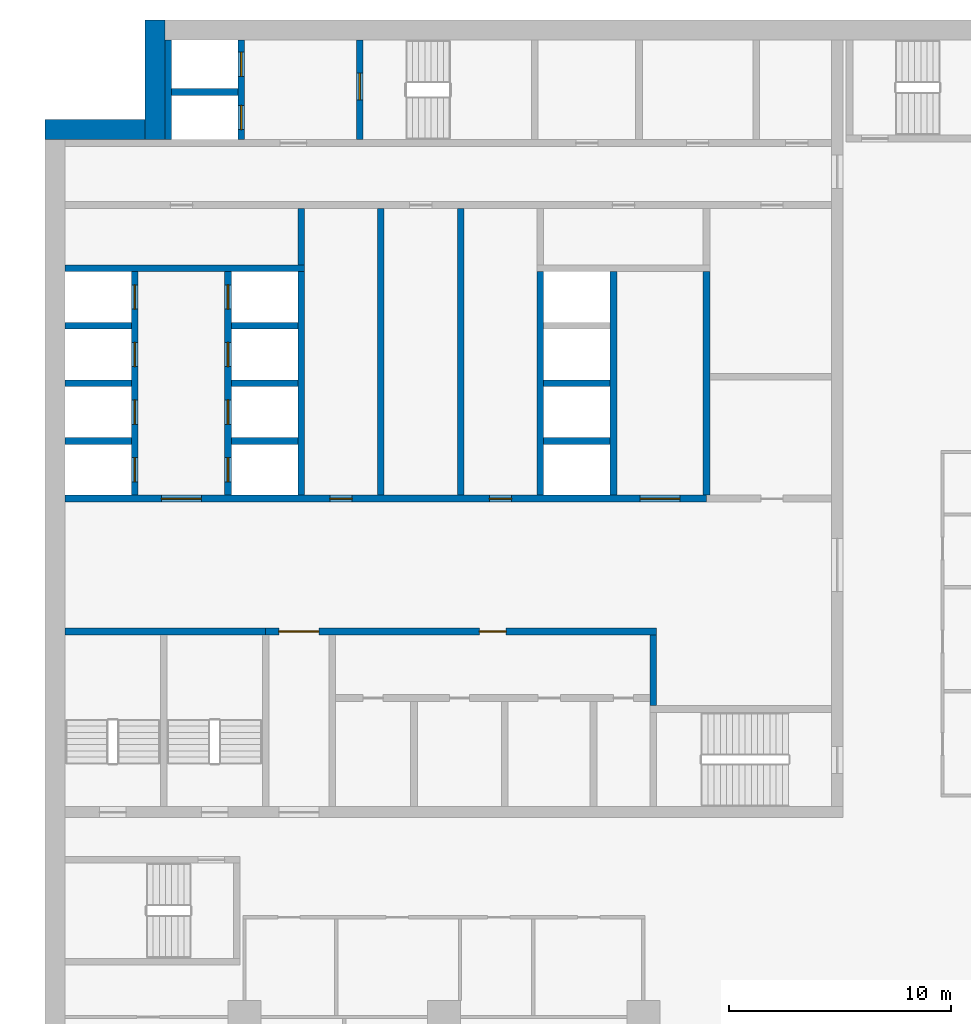
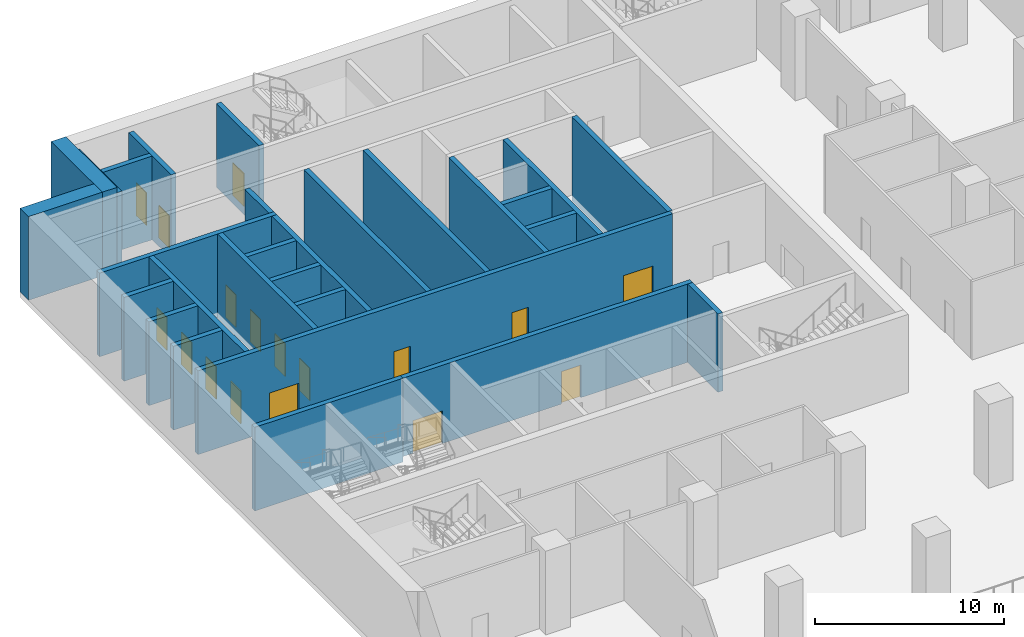
# One storey, part 18 of 43: 28 walls, 17 doors, 17 openings.
"""IFC4 building model written with IfcOpenShell, lengths in metres."""

from ifc_helpers import new_model, si_unit, direction, frame, frame_2d, origin, place, context, subcontext, project, spatial, rectangle, extrude, material, layer, layer_set, type_object, element, fill, save


model = new_model("IFC4")

# Units and contexts
model_context = context("Model", 3, precision=1e-05, world=origin(), true_north=direction((0.0, 1.0)))
body_context = subcontext(model_context, "Body", "Model", "MODEL_VIEW")
ifc_project = project(units=[si_unit("LENGTHUNIT", "METRE"), si_unit("AREAUNIT", "SQUARE_METRE"), si_unit("VOLUMEUNIT", "CUBIC_METRE"), si_unit("PLANEANGLEUNIT", "RADIAN"), si_unit("MASSUNIT", "GRAM", prefix="KILO")], contexts=[model_context])

# Site, building, storey
site_placement = place(None, origin())
site = spatial("IfcSite", under=ifc_project, at=site_placement, CompositionType="ELEMENT")
building_placement = place(site_placement, origin())
building = spatial("IfcBuilding", under=site, at=building_placement, Name="Hunhe Ridgeline Campus", CompositionType="ELEMENT")
storey_placement = place(building_placement, frame((0.0, 0.0, 11.39990234375)))
storey = spatial("IfcBuildingStorey", under=building, at=storey_placement, Name="L02", CompositionType="ELEMENT", Elevation=11.39990234375)

# Wall, openings, doors
ifc_material_1 = material(Name="Masonry concrete blockwork", Category="masonry")
ifc_layer_1 = layer(ifc_material_1, 0.300048828125)
ifc_layer_set_1 = layer_set([ifc_layer_1], Name="Core room partition 300 concrete block")
wall_type_1 = type_object("IfcWallType", Name="Core room partition 300 concrete block", PredefinedType="PARTITIONING", material=ifc_layer_set_1)
wall_1_placement = place(storey_placement, frame((9.949951171875, 71.39990234375, 0.0), z_axis=(0.0, 0.0, 1.0), x_axis=(1.0, 0.0, 0.0)))
wall_1 = element("IfcWall", 1, at=wall_1_placement, inside=storey, type_object=wall_type_1, Name="L02 core partition 13", PredefinedType="PARTITIONING", context=body_context, shape_type="SweptSolid", body=[
    extrude(rectangle(XDim=17.650146484375, YDim=0.300048828125, at=frame_2d((8.8251953125, 0.0))), origin(), (0.0, 0.0, 1.0), 5.050048828125),
])
opening_1_placement = place(wall_1_placement, frame((0.60009765625, 0.0, 0.0)))
opening_1 = element("IfcOpeningElement", 2, at=opening_1_placement, cuts=wall_1, Name="Opening CD7", PredefinedType="OPENING", context=body_context, shape_type="SweptSolid", body=[
    extrude(rectangle(XDim=1.800048828125, YDim=2.10009765625, at=frame_2d((0.89990234375, 1.050048828125))), frame((0.0, 0.14990234375, 0.0), z_axis=(0.0, -1.0, 0.0), x_axis=(1.0, 0.0, 0.0)), (0.0, 0.0, 1.0), 0.300048828125),
])
opening_2_placement = place(wall_1_placement, frame((9.64990234375, 0.0, 0.0)))
opening_2 = element("IfcOpeningElement", 3, at=opening_2_placement, cuts=wall_1, Name="Opening CD12", PredefinedType="OPENING", context=body_context, shape_type="SweptSolid", body=[
    extrude(rectangle(XDim=1.199951171875, YDim=2.10009765625, at=frame_2d((0.60009765625, 1.050048828125))), frame((0.0, 0.14990234375, 0.0), z_axis=(0.0, -1.0, 0.0), x_axis=(1.0, 0.0, 0.0)), (0.0, 0.0, 1.0), 0.300048828125),
])
ifc_material_2 = material(Name="Anodised aluminium and glass", Category="aluminium")
door_type_1 = type_object("IfcDoorType", Name="Glazed double door 1800x2100", OperationType="DOUBLE_DOOR_SINGLE_SWING", PredefinedType="DOOR", material=ifc_material_2)
door_1_placement = place(opening_1_placement, origin())
door_1 = element("IfcDoor", 4, at=door_1_placement, inside=storey, type_object=door_type_1, Name="L02 door VEST-HALL", OperationType="DOUBLE_DOOR_SINGLE_SWING", OverallHeight=2.10009765625, OverallWidth=1.800048828125, PredefinedType="DOOR", context=body_context, shape_type="SweptSolid", body=[
    extrude(rectangle(XDim=1.800048828125, YDim=2.10009765625, at=frame_2d((0.89990234375, 1.050048828125))), frame((0.0, 0.02490234375, 0.0), z_axis=(0.0, -1.0, 0.0), x_axis=(1.0, 0.0, 0.0)), (0.0, 0.0, 1.0), 0.050048828125),
])
fill(opening_1, door_1)
ifc_material_3 = material(Name="Solid core timber door leaf", Category="wood")
door_type_2 = type_object("IfcDoorType", Name="Timber door 1200x2100", OperationType="SINGLE_SWING_LEFT", PredefinedType="DOOR", material=ifc_material_3)
door_2_placement = place(opening_2_placement, origin())
door_2 = element("IfcDoor", 5, at=door_2_placement, inside=storey, type_object=door_type_2, Name="L02 door WCL2-HALL", OperationType="SINGLE_SWING_LEFT", OverallHeight=2.10009765625, OverallWidth=1.199951171875, PredefinedType="DOOR", context=body_context, shape_type="SweptSolid", body=[
    extrude(rectangle(XDim=1.199951171875, YDim=2.10009765625, at=frame_2d((0.60009765625, 1.050048828125))), frame((0.0, 0.02490234375, 0.0), z_axis=(0.0, -1.0, 0.0), x_axis=(1.0, 0.0, 0.0)), (0.0, 0.0, 1.0), 0.050048828125),
])
fill(opening_2, door_2)

# Walls
wall_2_placement = place(storey_placement, frame((11.550048828125, 87.949951171875, 0.0), z_axis=(0.0, 0.0, 1.0), x_axis=(0.0, 1.0, 0.0)))
element("IfcWall", 6, at=wall_2_placement, inside=storey, type_object=wall_type_1, Name="L02 core partition 44", PredefinedType="PARTITIONING", context=body_context, shape_type="SweptSolid", body=[
    extrude(rectangle(XDim=2.550048828125, YDim=0.300048828125, at=frame_2d((1.27490234375, 0.0))), origin(), (0.0, 0.0, 1.0), 5.050048828125),
])
for number, where, z_axis, x_axis, name in (
    (7, (15.14990234375, 77.550048828125, 0.0), (0.0, 0.0, 1.0), (0.0, 1.0, 0.0), "L02 core partition 47"),
    (8, (18.75, 77.550048828125, 0.0), (0.0, 0.0, 1.0), (0.0, 1.0, 0.0), "L02 core partition 49"),
):
    element("IfcWall", number, at=place(storey_placement, frame(where, z_axis=z_axis, x_axis=x_axis)), inside=storey, type_object=wall_type_1, Name=name, PredefinedType="PARTITIONING", context=body_context, shape_type="SweptSolid", body=[
        extrude(rectangle(XDim=12.949951171875, YDim=0.300048828125, at=frame_2d((6.47509765625, 0.0))), origin(), (0.0, 0.0, 1.0), 5.050048828125),
    ])
wall_3_placement = place(storey_placement, frame((27.449951171875, 68.050048828125, 0.0), z_axis=(0.0, 0.0, 1.0), x_axis=(0.0, 1.0, 0.0)))
element("IfcWall", 9, at=wall_3_placement, inside=storey, type_object=wall_type_1, Name="L02 core partition 60", PredefinedType="PARTITIONING", context=body_context, shape_type="SweptSolid", body=[
    extrude(rectangle(XDim=3.199951171875, YDim=0.300048828125, at=frame_2d((1.60009765625, 0.0))), origin(), (0.0, 0.0, 1.0), 5.050048828125),
])
ifc_material_4 = material(Name="Concrete C80", Category="concrete")
ifc_layer_2 = layer(ifc_material_4, 0.300048828125)
ifc_layer_set_2 = layer_set([ifc_layer_2], Name="Lobby wall 300 reinforced concrete C80")
wall_type_2 = type_object("IfcWallType", Name="Lobby wall 300 reinforced concrete C80", PredefinedType="SOLIDWALL", material=ifc_layer_set_2)
wall_4_placement = place(storey_placement, frame((29.85009765625, 77.550048828125, -0.349853515625), z_axis=(0.0, 0.0, 1.0), x_axis=(0.0, 1.0, 0.0)))
element("IfcWall", 10, at=wall_4_placement, inside=storey, type_object=wall_type_2, Name="L02 core wall 61", PredefinedType="SOLIDWALL", context=body_context, shape_type="SweptSolid", body=[
    extrude(rectangle(XDim=10.099853515625, YDim=0.300048828125, at=frame_2d((5.0498046875, 0.0))), origin(), (0.0, 0.0, 1.0), 5.39990234375),
])

# Wall, openings, doors
ifc_layer_3 = layer(ifc_material_4, 0.300048828125)
ifc_layer_set_3 = layer_set([ifc_layer_3], Name="Shaft wall 300 reinforced concrete C80")
wall_type_3 = type_object("IfcWallType", Name="Shaft wall 300 reinforced concrete C80", PredefinedType="SOLIDWALL", material=ifc_layer_set_3)
wall_5_placement = place(storey_placement, frame((0.89990234375, 77.39990234375, -0.349853515625), z_axis=(0.0, 0.0, 1.0), x_axis=(1.0, 0.0, 0.0)))
wall_5 = element("IfcWall", 11, at=wall_5_placement, inside=storey, type_object=wall_type_3, Name="L02 core wall 14", PredefinedType="SOLIDWALL", context=body_context, shape_type="SweptSolid", body=[
    extrude(rectangle(XDim=28.9501953125, YDim=0.300048828125, at=frame_2d((14.47509765625, 0.0))), origin(), (0.0, 0.0, 1.0), 5.39990234375),
])
opening_3_placement = place(wall_5_placement, frame((4.35009765625, 0.0, 0.35009765625)))
opening_3 = element("IfcOpeningElement", 12, at=opening_3_placement, cuts=wall_5, Name="Opening CD1", PredefinedType="OPENING", context=body_context, shape_type="SweptSolid", body=[
    extrude(rectangle(XDim=1.800048828125, YDim=2.10009765625, at=frame_2d((0.89990234375, 1.050048828125))), frame((0.0, 0.14990234375, 0.0), z_axis=(0.0, -1.0, 0.0), x_axis=(1.0, 0.0, 0.0)), (0.0, 0.0, 1.0), 0.300048828125),
])
opening_4_placement = place(wall_5_placement, frame((25.949951171875, 0.0, 0.35009765625)))
opening_4 = element("IfcOpeningElement", 13, at=opening_4_placement, cuts=wall_5, Name="Opening CD2", PredefinedType="OPENING", context=body_context, shape_type="SweptSolid", body=[
    extrude(rectangle(XDim=1.800048828125, YDim=2.10009765625, at=frame_2d((0.89990234375, 1.050048828125))), frame((0.0, 0.14990234375, 0.0), z_axis=(0.0, -1.0, 0.0), x_axis=(1.0, 0.0, 0.0)), (0.0, 0.0, 1.0), 0.300048828125),
])
opening_5_placement = place(wall_5_placement, frame((11.949951171875, 0.0, 0.35009765625)))
opening_5 = element("IfcOpeningElement", 14, at=opening_5_placement, cuts=wall_5, Name="Opening CD28", PredefinedType="OPENING", context=body_context, shape_type="SweptSolid", body=[
    extrude(rectangle(XDim=1.0, YDim=2.10009765625, at=frame_2d((0.5, 1.050048828125))), frame((0.0, 0.14990234375, 0.0), z_axis=(0.0, -1.0, 0.0), x_axis=(1.0, 0.0, 0.0)), (0.0, 0.0, 1.0), 0.300048828125),
])
opening_6_placement = place(wall_5_placement, frame((19.14990234375, 0.0, 0.35009765625)))
opening_6 = element("IfcOpeningElement", 15, at=opening_6_placement, cuts=wall_5, Name="Opening CD30", PredefinedType="OPENING", context=body_context, shape_type="SweptSolid", body=[
    extrude(rectangle(XDim=1.0, YDim=2.10009765625, at=frame_2d((0.5, 1.050048828125))), frame((0.0, 0.14990234375, 0.0), z_axis=(0.0, -1.0, 0.0), x_axis=(1.0, 0.0, 0.0)), (0.0, 0.0, 1.0), 0.300048828125),
])
ifc_material_5 = material(Name="Hollow metal fire door leaf")
door_type_3 = type_object("IfcDoorType", Name="Lobby door 1800x2100 FD60", OperationType="SINGLE_SWING_LEFT", PredefinedType="DOOR", material=ifc_material_5)
door_3_placement = place(opening_3_placement, frame((1.800048828125, 0.0, 0.0), z_axis=(0.0, 0.0, 1.0), x_axis=(-1.0, 0.0, 0.0)))
door_3 = element("IfcDoor", 16, at=door_3_placement, inside=storey, type_object=door_type_3, Name="L02 door LOB-LR", OperationType="SINGLE_SWING_RIGHT", OverallHeight=2.10009765625, OverallWidth=1.800048828125, PredefinedType="DOOR", context=body_context, shape_type="SweptSolid", body=[
    extrude(rectangle(XDim=1.800048828125, YDim=2.10009765625, at=frame_2d((0.89990234375, 1.050048828125))), frame((0.0, 0.02490234375, 0.0), z_axis=(0.0, -1.0, 0.0), x_axis=(1.0, 0.0, 0.0)), (0.0, 0.0, 1.0), 0.050048828125),
])
fill(opening_3, door_3)
door_4_placement = place(opening_4_placement, frame((1.800048828125, 0.0, 0.0), z_axis=(0.0, 0.0, 1.0), x_axis=(-1.0, 0.0, 0.0)))
door_4 = element("IfcDoor", 17, at=door_4_placement, inside=storey, type_object=door_type_3, Name="L02 door LOB-SH", OperationType="SINGLE_SWING_LEFT", OverallHeight=2.10009765625, OverallWidth=1.800048828125, PredefinedType="DOOR", context=body_context, shape_type="SweptSolid", body=[
    extrude(rectangle(XDim=1.800048828125, YDim=2.10009765625, at=frame_2d((0.89990234375, 1.050048828125))), frame((0.0, 0.02490234375, 0.0), z_axis=(0.0, -1.0, 0.0), x_axis=(1.0, 0.0, 0.0)), (0.0, 0.0, 1.0), 0.050048828125),
])
fill(opening_4, door_4)
door_type_4 = type_object("IfcDoorType", Name="Timber door 1000x2100", OperationType="SINGLE_SWING_LEFT", PredefinedType="DOOR", material=ifc_material_3)
door_5_placement = place(opening_5_placement, origin())
door_5 = element("IfcDoor", 18, at=door_5_placement, inside=storey, type_object=door_type_4, Name="L02 door VD-HR0", OperationType="SINGLE_SWING_LEFT", OverallHeight=2.10009765625, OverallWidth=1.0, PredefinedType="DOOR", context=body_context, shape_type="SweptSolid", body=[
    extrude(rectangle(XDim=1.0, YDim=2.10009765625, at=frame_2d((0.5, 1.050048828125))), frame((0.0, 0.02490234375, 0.0), z_axis=(0.0, -1.0, 0.0), x_axis=(1.0, 0.0, 0.0)), (0.0, 0.0, 1.0), 0.050048828125),
])
fill(opening_5, door_5)
door_6_placement = place(opening_6_placement, origin())
door_6 = element("IfcDoor", 19, at=door_6_placement, inside=storey, type_object=door_type_4, Name="L02 door VD-HR2", OperationType="SINGLE_SWING_LEFT", OverallHeight=2.10009765625, OverallWidth=1.0, PredefinedType="DOOR", context=body_context, shape_type="SweptSolid", body=[
    extrude(rectangle(XDim=1.0, YDim=2.10009765625, at=frame_2d((0.5, 1.050048828125))), frame((0.0, 0.02490234375, 0.0), z_axis=(0.0, -1.0, 0.0), x_axis=(1.0, 0.0, 0.0)), (0.0, 0.0, 1.0), 0.050048828125),
])
fill(opening_6, door_6)

# Walls
for number, where, z_axis, x_axis, name in (
    (20, (0.89990234375, 80.0, -0.349853515625), (0.0, 0.0, 1.0), (1.0, 0.0, 0.0), "L02 core wall 16"),
    (21, (8.39990234375, 80.0, -0.349853515625), (0.0, 0.0, 1.0), (1.0, 0.0, 0.0), "L02 core wall 17"),
    (22, (22.5, 80.0, -0.349853515625), (0.0, 0.0, 1.0), (1.0, 0.0, 0.0), "L02 core wall 18"),
    (23, (0.89990234375, 82.60009765625, -0.349853515625), (0.0, 0.0, 1.0), (1.0, 0.0, 0.0), "L02 core wall 19"),
    (24, (8.39990234375, 82.60009765625, -0.349853515625), (0.0, 0.0, 1.0), (1.0, 0.0, 0.0), "L02 core wall 20"),
    (25, (22.5, 82.60009765625, -0.349853515625), (0.0, 0.0, 1.0), (1.0, 0.0, 0.0), "L02 core wall 21"),
    (26, (0.89990234375, 85.199951171875, -0.349853515625), (0.0, 0.0, 1.0), (1.0, 0.0, 0.0), "L02 core wall 23"),
    (27, (8.39990234375, 85.199951171875, -0.349853515625), (0.0, 0.0, 1.0), (1.0, 0.0, 0.0), "L02 core wall 24"),
):
    element("IfcWall", number, at=place(storey_placement, frame(where, z_axis=z_axis, x_axis=x_axis)), inside=storey, type_object=wall_type_3, Name=name, PredefinedType="SOLIDWALL", context=body_context, shape_type="SweptSolid", body=[
        extrude(rectangle(XDim=3.0, YDim=0.300048828125, at=frame_2d((1.5, 0.0))), origin(), (0.0, 0.0, 1.0), 5.39990234375),
    ])
wall_6_placement = place(storey_placement, frame((0.89990234375, 87.800048828125, -0.349853515625), z_axis=(0.0, 0.0, 1.0), x_axis=(1.0, 0.0, 0.0)))
element("IfcWall", 28, at=wall_6_placement, inside=storey, type_object=wall_type_3, Name="L02 core wall 26", PredefinedType="SOLIDWALL", context=body_context, shape_type="SweptSolid", body=[
    extrude(rectangle(XDim=10.800048828125, YDim=0.300048828125, at=frame_2d((5.39990234375, 0.0))), origin(), (0.0, 0.0, 1.0), 5.39990234375),
])
wall_7_placement = place(storey_placement, frame((5.699951171875, 95.75, -0.349853515625), z_axis=(0.0, 0.0, 1.0), x_axis=(1.0, 0.0, 0.0)))
element("IfcWall", 29, at=wall_7_placement, inside=storey, type_object=wall_type_3, Name="L02 core wall 34", PredefinedType="SOLIDWALL", context=body_context, shape_type="SweptSolid", body=[
    extrude(rectangle(XDim=3.0, YDim=0.300048828125, at=frame_2d((1.5, 0.0))), origin(), (0.0, 0.0, 1.0), 5.39990234375),
])

# Wall, openings, doors
wall_8_placement = place(storey_placement, frame((4.050048828125, 77.550048828125, -0.349853515625), z_axis=(0.0, 0.0, 1.0), x_axis=(0.0, 1.0, 0.0)))
wall_8 = element("IfcWall", 30, at=wall_8_placement, inside=storey, type_object=wall_type_3, Name="L02 core wall 35", PredefinedType="SOLIDWALL", context=body_context, shape_type="SweptSolid", body=[
    extrude(rectangle(XDim=10.099853515625, YDim=0.300048828125, at=frame_2d((5.0498046875, 0.0))), origin(), (0.0, 0.0, 1.0), 5.39990234375),
])
opening_7_placement = place(wall_8_placement, frame((0.60009765625, 0.0, 0.35009765625)))
opening_7 = element("IfcOpeningElement", 31, at=opening_7_placement, cuts=wall_8, Name="Opening LD-LR1", PredefinedType="OPENING", context=body_context, shape_type="SweptSolid", body=[
    extrude(rectangle(XDim=1.10009765625, YDim=2.10009765625, at=frame_2d((0.550048828125, 1.050048828125))), frame((0.0, 0.14990234375, 0.0), z_axis=(0.0, -1.0, 0.0), x_axis=(1.0, 0.0, 0.0)), (0.0, 0.0, 1.0), 0.300048828125),
])
opening_8_placement = place(wall_8_placement, frame((3.199951171875, 0.0, 0.35009765625)))
opening_8 = element("IfcOpeningElement", 32, at=opening_8_placement, cuts=wall_8, Name="Opening LD-LR2", PredefinedType="OPENING", context=body_context, shape_type="SweptSolid", body=[
    extrude(rectangle(XDim=1.10009765625, YDim=2.10009765625, at=frame_2d((0.550048828125, 1.050048828125))), frame((0.0, 0.14990234375, 0.0), z_axis=(0.0, -1.0, 0.0), x_axis=(1.0, 0.0, 0.0)), (0.0, 0.0, 1.0), 0.300048828125),
])
opening_9_placement = place(wall_8_placement, frame((5.800048828125, 0.0, 0.35009765625)))
opening_9 = element("IfcOpeningElement", 33, at=opening_9_placement, cuts=wall_8, Name="Opening LD-LR3", PredefinedType="OPENING", context=body_context, shape_type="SweptSolid", body=[
    extrude(rectangle(XDim=1.10009765625, YDim=2.10009765625, at=frame_2d((0.550048828125, 1.050048828125))), frame((0.0, 0.14990234375, 0.0), z_axis=(0.0, -1.0, 0.0), x_axis=(1.0, 0.0, 0.0)), (0.0, 0.0, 1.0), 0.300048828125),
])
opening_10_placement = place(wall_8_placement, frame((8.39990234375, 0.0, 0.35009765625)))
opening_10 = element("IfcOpeningElement", 34, at=opening_10_placement, cuts=wall_8, Name="Opening LD-LR4", PredefinedType="OPENING", context=body_context, shape_type="SweptSolid", body=[
    extrude(rectangle(XDim=1.10009765625, YDim=2.10009765625, at=frame_2d((0.550048828125, 1.050048828125))), frame((0.0, 0.14990234375, 0.0), z_axis=(0.0, -1.0, 0.0), x_axis=(1.0, 0.0, 0.0)), (0.0, 0.0, 1.0), 0.300048828125),
])
ifc_material_6 = material(Name="Stainless steel sliding leaves", Category="steel")
door_type_5 = type_object("IfcDoorType", Name="Landing door 1100x2100 FD120", OperationType="SLIDING_TO_LEFT", PredefinedType="DOOR", material=ifc_material_6)
door_7_placement = place(opening_7_placement, origin())
door_7 = element("IfcDoor", 35, at=door_7_placement, inside=storey, type_object=door_type_5, Name="L02 landing door LR1", OperationType="SLIDING_TO_RIGHT", OverallHeight=2.10009765625, OverallWidth=1.10009765625, PredefinedType="DOOR", context=body_context, shape_type="SweptSolid", body=[
    extrude(rectangle(XDim=1.10009765625, YDim=2.10009765625, at=frame_2d((0.550048828125, 1.050048828125))), frame((0.0, 0.02490234375, 0.0), z_axis=(0.0, -1.0, 0.0), x_axis=(1.0, 0.0, 0.0)), (0.0, 0.0, 1.0), 0.050048828125),
])
fill(opening_7, door_7)
door_8_placement = place(opening_8_placement, origin())
door_8 = element("IfcDoor", 36, at=door_8_placement, inside=storey, type_object=door_type_5, Name="L02 landing door LR2", OperationType="SLIDING_TO_LEFT", OverallHeight=2.10009765625, OverallWidth=1.10009765625, PredefinedType="DOOR", context=body_context, shape_type="SweptSolid", body=[
    extrude(rectangle(XDim=1.10009765625, YDim=2.10009765625, at=frame_2d((0.550048828125, 1.050048828125))), frame((0.0, 0.02490234375, 0.0), z_axis=(0.0, -1.0, 0.0), x_axis=(1.0, 0.0, 0.0)), (0.0, 0.0, 1.0), 0.050048828125),
])
fill(opening_8, door_8)
door_9_placement = place(opening_9_placement, origin())
door_9 = element("IfcDoor", 37, at=door_9_placement, inside=storey, type_object=door_type_5, Name="L02 landing door LR3", OperationType="SLIDING_TO_RIGHT", OverallHeight=2.10009765625, OverallWidth=1.10009765625, PredefinedType="DOOR", context=body_context, shape_type="SweptSolid", body=[
    extrude(rectangle(XDim=1.10009765625, YDim=2.10009765625, at=frame_2d((0.550048828125, 1.050048828125))), frame((0.0, 0.02490234375, 0.0), z_axis=(0.0, -1.0, 0.0), x_axis=(1.0, 0.0, 0.0)), (0.0, 0.0, 1.0), 0.050048828125),
])
fill(opening_9, door_9)
door_10_placement = place(opening_10_placement, origin())
door_10 = element("IfcDoor", 38, at=door_10_placement, inside=storey, type_object=door_type_5, Name="L02 landing door LR4", OperationType="SLIDING_TO_LEFT", OverallHeight=2.10009765625, OverallWidth=1.10009765625, PredefinedType="DOOR", context=body_context, shape_type="SweptSolid", body=[
    extrude(rectangle(XDim=1.10009765625, YDim=2.10009765625, at=frame_2d((0.550048828125, 1.050048828125))), frame((0.0, 0.02490234375, 0.0), z_axis=(0.0, -1.0, 0.0), x_axis=(1.0, 0.0, 0.0)), (0.0, 0.0, 1.0), 0.050048828125),
])
fill(opening_10, door_10)

# Wall
wall_9_placement = place(storey_placement, frame((5.550048828125, 93.60009765625, -0.349853515625), z_axis=(0.0, 0.0, 1.0), x_axis=(0.0, 1.0, 0.0)))
element("IfcWall", 39, at=wall_9_placement, inside=storey, type_object=wall_type_3, Name="L02 core wall 37", PredefinedType="SOLIDWALL", context=body_context, shape_type="SweptSolid", body=[
    extrude(rectangle(XDim=4.5, YDim=0.300048828125, at=frame_2d((2.25, 0.0))), origin(), (0.0, 0.0, 1.0), 5.39990234375),
])

# Wall, openings, doors
wall_10_placement = place(storey_placement, frame((8.25, 77.550048828125, -0.349853515625), z_axis=(0.0, 0.0, 1.0), x_axis=(0.0, 1.0, 0.0)))
wall_10 = element("IfcWall", 40, at=wall_10_placement, inside=storey, type_object=wall_type_3, Name="L02 core wall 38", PredefinedType="SOLIDWALL", context=body_context, shape_type="SweptSolid", body=[
    extrude(rectangle(XDim=10.099853515625, YDim=0.300048828125, at=frame_2d((5.0498046875, 0.0))), origin(), (0.0, 0.0, 1.0), 5.39990234375),
])
opening_11_placement = place(wall_10_placement, frame((0.60009765625, 0.0, 0.35009765625)))
opening_11 = element("IfcOpeningElement", 41, at=opening_11_placement, cuts=wall_10, Name="Opening LD-LR5", PredefinedType="OPENING", context=body_context, shape_type="SweptSolid", body=[
    extrude(rectangle(XDim=1.10009765625, YDim=2.10009765625, at=frame_2d((0.550048828125, 1.050048828125))), frame((0.0, 0.14990234375, 0.0), z_axis=(0.0, -1.0, 0.0), x_axis=(1.0, 0.0, 0.0)), (0.0, 0.0, 1.0), 0.300048828125),
])
opening_12_placement = place(wall_10_placement, frame((3.199951171875, 0.0, 0.35009765625)))
opening_12 = element("IfcOpeningElement", 42, at=opening_12_placement, cuts=wall_10, Name="Opening LD-LR6", PredefinedType="OPENING", context=body_context, shape_type="SweptSolid", body=[
    extrude(rectangle(XDim=1.10009765625, YDim=2.10009765625, at=frame_2d((0.550048828125, 1.050048828125))), frame((0.0, 0.14990234375, 0.0), z_axis=(0.0, -1.0, 0.0), x_axis=(1.0, 0.0, 0.0)), (0.0, 0.0, 1.0), 0.300048828125),
])
opening_13_placement = place(wall_10_placement, frame((5.800048828125, 0.0, 0.35009765625)))
opening_13 = element("IfcOpeningElement", 43, at=opening_13_placement, cuts=wall_10, Name="Opening LD-LR7", PredefinedType="OPENING", context=body_context, shape_type="SweptSolid", body=[
    extrude(rectangle(XDim=1.10009765625, YDim=2.10009765625, at=frame_2d((0.550048828125, 1.050048828125))), frame((0.0, 0.14990234375, 0.0), z_axis=(0.0, -1.0, 0.0), x_axis=(1.0, 0.0, 0.0)), (0.0, 0.0, 1.0), 0.300048828125),
])
opening_14_placement = place(wall_10_placement, frame((8.39990234375, 0.0, 0.35009765625)))
opening_14 = element("IfcOpeningElement", 44, at=opening_14_placement, cuts=wall_10, Name="Opening LD-LR8", PredefinedType="OPENING", context=body_context, shape_type="SweptSolid", body=[
    extrude(rectangle(XDim=1.10009765625, YDim=2.10009765625, at=frame_2d((0.550048828125, 1.050048828125))), frame((0.0, 0.14990234375, 0.0), z_axis=(0.0, -1.0, 0.0), x_axis=(1.0, 0.0, 0.0)), (0.0, 0.0, 1.0), 0.300048828125),
])
door_11_placement = place(opening_11_placement, origin())
door_11 = element("IfcDoor", 45, at=door_11_placement, inside=storey, type_object=door_type_5, Name="L02 landing door LR5", OperationType="SLIDING_TO_RIGHT", OverallHeight=2.10009765625, OverallWidth=1.10009765625, PredefinedType="DOOR", context=body_context, shape_type="SweptSolid", body=[
    extrude(rectangle(XDim=1.10009765625, YDim=2.10009765625, at=frame_2d((0.550048828125, 1.050048828125))), frame((0.0, 0.02490234375, 0.0), z_axis=(0.0, -1.0, 0.0), x_axis=(1.0, 0.0, 0.0)), (0.0, 0.0, 1.0), 0.050048828125),
])
fill(opening_11, door_11)
door_12_placement = place(opening_12_placement, origin())
door_12 = element("IfcDoor", 46, at=door_12_placement, inside=storey, type_object=door_type_5, Name="L02 landing door LR6", OperationType="SLIDING_TO_LEFT", OverallHeight=2.10009765625, OverallWidth=1.10009765625, PredefinedType="DOOR", context=body_context, shape_type="SweptSolid", body=[
    extrude(rectangle(XDim=1.10009765625, YDim=2.10009765625, at=frame_2d((0.550048828125, 1.050048828125))), frame((0.0, 0.02490234375, 0.0), z_axis=(0.0, -1.0, 0.0), x_axis=(1.0, 0.0, 0.0)), (0.0, 0.0, 1.0), 0.050048828125),
])
fill(opening_12, door_12)
door_13_placement = place(opening_13_placement, origin())
door_13 = element("IfcDoor", 47, at=door_13_placement, inside=storey, type_object=door_type_5, Name="L02 landing door LR7", OperationType="SLIDING_TO_RIGHT", OverallHeight=2.10009765625, OverallWidth=1.10009765625, PredefinedType="DOOR", context=body_context, shape_type="SweptSolid", body=[
    extrude(rectangle(XDim=1.10009765625, YDim=2.10009765625, at=frame_2d((0.550048828125, 1.050048828125))), frame((0.0, 0.02490234375, 0.0), z_axis=(0.0, -1.0, 0.0), x_axis=(1.0, 0.0, 0.0)), (0.0, 0.0, 1.0), 0.050048828125),
])
fill(opening_13, door_13)
door_14_placement = place(opening_14_placement, origin())
door_14 = element("IfcDoor", 48, at=door_14_placement, inside=storey, type_object=door_type_5, Name="L02 landing door LR8", OperationType="SLIDING_TO_LEFT", OverallHeight=2.10009765625, OverallWidth=1.10009765625, PredefinedType="DOOR", context=body_context, shape_type="SweptSolid", body=[
    extrude(rectangle(XDim=1.10009765625, YDim=2.10009765625, at=frame_2d((0.550048828125, 1.050048828125))), frame((0.0, 0.02490234375, 0.0), z_axis=(0.0, -1.0, 0.0), x_axis=(1.0, 0.0, 0.0)), (0.0, 0.0, 1.0), 0.050048828125),
])
fill(opening_14, door_14)

wall_11_placement = place(storey_placement, frame((8.85009765625, 93.60009765625, -0.349853515625), z_axis=(0.0, 0.0, 1.0), x_axis=(0.0, 1.0, 0.0)))
wall_11 = element("IfcWall", 49, at=wall_11_placement, inside=storey, type_object=wall_type_3, Name="L02 core wall 41", PredefinedType="SOLIDWALL", context=body_context, shape_type="SweptSolid", body=[
    extrude(rectangle(XDim=4.5, YDim=0.300048828125, at=frame_2d((2.25, 0.0))), origin(), (0.0, 0.0, 1.0), 5.39990234375),
])
opening_15_placement = place(wall_11_placement, frame((0.449951171875, 0.0, 0.35009765625)))
opening_15 = element("IfcOpeningElement", 50, at=opening_15_placement, cuts=wall_11, Name="Opening LD-FF1", PredefinedType="OPENING", context=body_context, shape_type="SweptSolid", body=[
    extrude(rectangle(XDim=1.10009765625, YDim=2.10009765625, at=frame_2d((0.550048828125, 1.050048828125))), frame((0.0, 0.14990234375, 0.0), z_axis=(0.0, -1.0, 0.0), x_axis=(1.0, 0.0, 0.0)), (0.0, 0.0, 1.0), 0.300048828125),
])
opening_16_placement = place(wall_11_placement, frame((2.85009765625, 0.0, 0.35009765625)))
opening_16 = element("IfcOpeningElement", 51, at=opening_16_placement, cuts=wall_11, Name="Opening LD-FF2", PredefinedType="OPENING", context=body_context, shape_type="SweptSolid", body=[
    extrude(rectangle(XDim=1.10009765625, YDim=2.10009765625, at=frame_2d((0.550048828125, 1.050048828125))), frame((0.0, 0.14990234375, 0.0), z_axis=(0.0, -1.0, 0.0), x_axis=(1.0, 0.0, 0.0)), (0.0, 0.0, 1.0), 0.300048828125),
])
door_15_placement = place(opening_15_placement, origin())
door_15 = element("IfcDoor", 52, at=door_15_placement, inside=storey, type_object=door_type_5, Name="L02 landing door FF1", OperationType="SLIDING_TO_RIGHT", OverallHeight=2.10009765625, OverallWidth=1.10009765625, PredefinedType="DOOR", context=body_context, shape_type="SweptSolid", body=[
    extrude(rectangle(XDim=1.10009765625, YDim=2.10009765625, at=frame_2d((0.550048828125, 1.050048828125))), frame((0.0, 0.02490234375, 0.0), z_axis=(0.0, -1.0, 0.0), x_axis=(1.0, 0.0, 0.0)), (0.0, 0.0, 1.0), 0.050048828125),
])
fill(opening_15, door_15)
door_16_placement = place(opening_16_placement, origin())
door_16 = element("IfcDoor", 53, at=door_16_placement, inside=storey, type_object=door_type_5, Name="L02 landing door FF2", OperationType="SLIDING_TO_LEFT", OverallHeight=2.10009765625, OverallWidth=1.10009765625, PredefinedType="DOOR", context=body_context, shape_type="SweptSolid", body=[
    extrude(rectangle(XDim=1.10009765625, YDim=2.10009765625, at=frame_2d((0.550048828125, 1.050048828125))), frame((0.0, 0.02490234375, 0.0), z_axis=(0.0, -1.0, 0.0), x_axis=(1.0, 0.0, 0.0)), (0.0, 0.0, 1.0), 0.050048828125),
])
fill(opening_16, door_16)

# Walls
for number, where, z_axis, x_axis, name in (
    (54, (11.550048828125, 77.550048828125, -0.349853515625), (0.0, 0.0, 1.0), (0.0, 1.0, 0.0), "L02 core wall 43"),
    (55, (22.35009765625, 77.550048828125, -0.349853515625), (0.0, 0.0, 1.0), (0.0, 1.0, 0.0), "L02 core wall 53"),
    (56, (25.64990234375, 77.550048828125, -0.349853515625), (0.0, 0.0, 1.0), (0.0, 1.0, 0.0), "L02 core wall 57"),
):
    element("IfcWall", number, at=place(storey_placement, frame(where, z_axis=z_axis, x_axis=x_axis)), inside=storey, type_object=wall_type_3, Name=name, PredefinedType="SOLIDWALL", context=body_context, shape_type="SweptSolid", body=[
        extrude(rectangle(XDim=10.099853515625, YDim=0.300048828125, at=frame_2d((5.0498046875, 0.0))), origin(), (0.0, 0.0, 1.0), 5.39990234375),
    ])
ifc_layer_4 = layer(ifc_material_4, 0.89990234375)
ifc_layer_set_4 = layer_set([ifc_layer_4], Name="Spine wall 900 Concrete C80")
wall_type_4 = type_object("IfcWallType", Name="Spine wall 900 Concrete C80", PredefinedType="SHEAR", material=ifc_layer_set_4)
for number, where, z_axis, x_axis, name in (
    (57, (4.949951171875, 99.0, 0.0), (0.0, 0.0, 1.0), (0.0, -1.0, 0.0), "Spine wall SW1-5 L02"),
    (58, (5.400146484375, 94.050048828125, 0.0), (0.0, 0.0, 1.0), (-1.0, 0.0, 0.0), "Spine wall SW1-6 L02"),
):
    element("IfcWall", number, at=place(storey_placement, frame(where, z_axis=z_axis, x_axis=x_axis)), inside=storey, type_object=wall_type_4, Name=name, PredefinedType="SHEAR", context=body_context, shape_type="SweptSolid", body=[
        extrude(rectangle(XDim=5.400146484375, YDim=0.89990234375, at=frame_2d((2.7001953125, 0.0))), origin(), (0.0, 0.0, 1.0), 5.400146484375),
    ])
ifc_layer_5 = layer(ifc_material_4, 0.300048828125)
ifc_layer_set_5 = layer_set([ifc_layer_5], Name="Stair wall 300 reinforced concrete C80")
wall_type_5 = type_object("IfcWallType", Name="Stair wall 300 reinforced concrete C80", PredefinedType="SOLIDWALL", material=ifc_layer_set_5)
wall_12_placement = place(storey_placement, frame((0.89990234375, 71.39990234375, -0.349853515625), z_axis=(0.0, 0.0, 1.0), x_axis=(1.0, 0.0, 0.0)))
element("IfcWall", 59, at=wall_12_placement, inside=storey, type_object=wall_type_5, Name="L02 core wall 12", PredefinedType="SOLIDWALL", context=body_context, shape_type="SweptSolid", body=[
    extrude(rectangle(XDim=9.050048828125, YDim=0.300048828125, at=frame_2d((4.52490234375, 0.0))), origin(), (0.0, 0.0, 1.0), 5.39990234375),
])

# Wall, opening, door
wall_13_placement = place(storey_placement, frame((14.199951171875, 93.60009765625, -0.349853515625), z_axis=(0.0, 0.0, 1.0), x_axis=(0.0, 1.0, 0.0)))
wall_13 = element("IfcWall", 60, at=wall_13_placement, inside=storey, type_object=wall_type_5, Name="L02 core wall 46", PredefinedType="SOLIDWALL", context=body_context, shape_type="SweptSolid", body=[
    extrude(rectangle(XDim=4.5, YDim=0.300048828125, at=frame_2d((2.25, 0.0))), origin(), (0.0, 0.0, 1.0), 5.39990234375),
])
opening_17_placement = place(wall_13_placement, frame((1.800048828125, 0.0, 0.35009765625)))
opening_17 = element("IfcOpeningElement", 61, at=opening_17_placement, cuts=wall_13, Name="Opening CD16", PredefinedType="OPENING", context=body_context, shape_type="SweptSolid", body=[
    extrude(rectangle(XDim=1.199951171875, YDim=2.10009765625, at=frame_2d((0.60009765625, 1.050048828125))), frame((0.0, 0.14990234375, 0.0), z_axis=(0.0, -1.0, 0.0), x_axis=(1.0, 0.0, 0.0)), (0.0, 0.0, 1.0), 0.300048828125),
])
door_type_6 = type_object("IfcDoorType", Name="Stair door 1200x2100 FD60", OperationType="SINGLE_SWING_LEFT", PredefinedType="DOOR", material=ifc_material_5)
door_17_placement = place(opening_17_placement, origin())
door_17 = element("IfcDoor", 62, at=door_17_placement, inside=storey, type_object=door_type_6, Name="L02 door S1-FF", OperationType="SINGLE_SWING_LEFT", OverallHeight=2.10009765625, OverallWidth=1.199951171875, PredefinedType="DOOR", context=body_context, shape_type="SweptSolid", body=[
    extrude(rectangle(XDim=1.199951171875, YDim=2.10009765625, at=frame_2d((0.60009765625, 1.050048828125))), frame((0.0, 0.02490234375, 0.0), z_axis=(0.0, -1.0, 0.0), x_axis=(1.0, 0.0, 0.0)), (0.0, 0.0, 1.0), 0.050048828125),
])
fill(opening_17, door_17)

save(model, "model.ifc")
